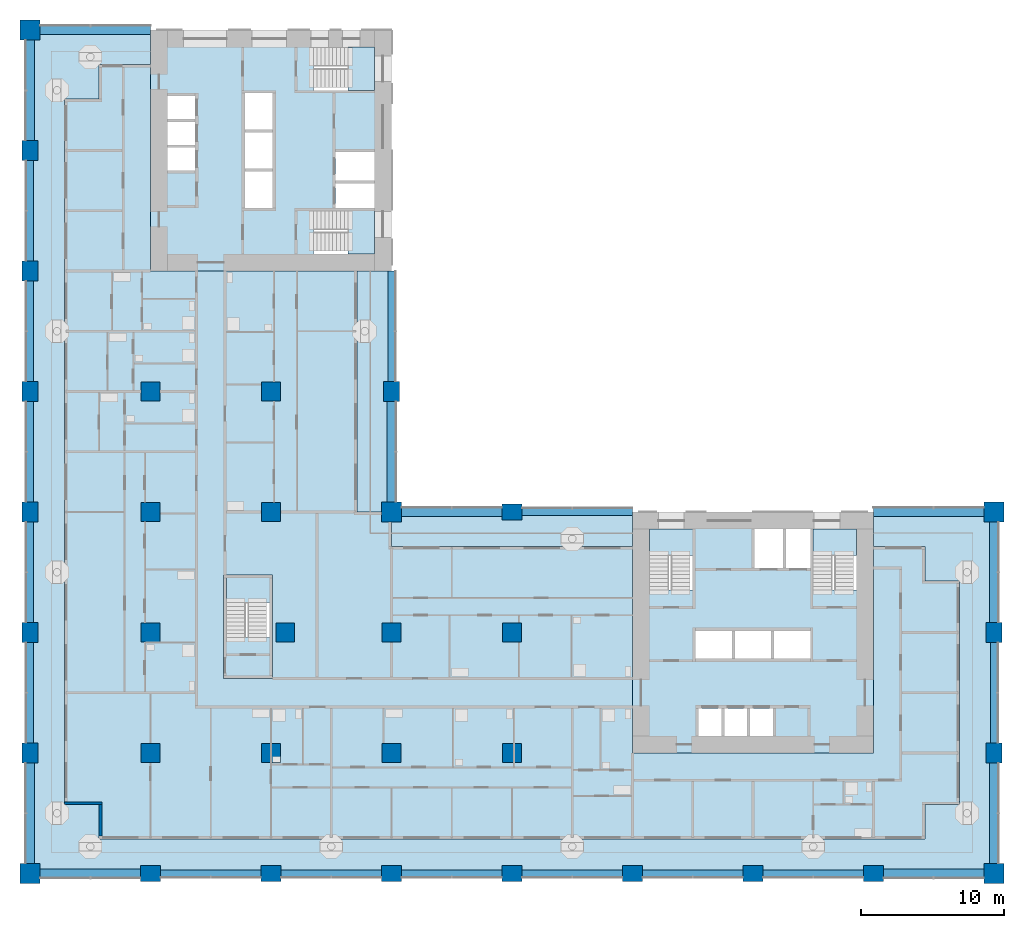
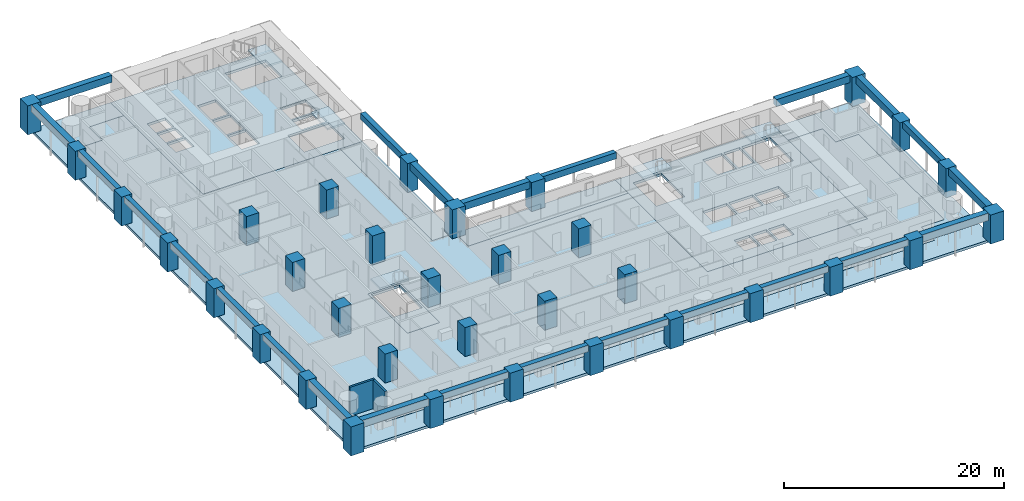
# One storey, part 1 of 19: 34 columns, 24 beams, 12 slabs, 2 walls, 5 elements without a shape of their own.
"""IFC4 building model written with IfcOpenShell, lengths in metres."""

from ifc_helpers import new_model, si_unit, direction, frame, frame_2d, origin, origin_2d, place, context, subcontext, project, spatial, polyline, rectangle, outline, extrude, material, layer, layer_set, material_profile, profile_set, type_object, element, aggregate, save


model = new_model("IFC4")

# Units and contexts
model_context = context("Model", 3, precision=1e-05, world=origin(), true_north=direction((0.0, 1.0)))
body_context = subcontext(model_context, "Body", "Model", "MODEL_VIEW")
ifc_project = project(units=[si_unit("LENGTHUNIT", "METRE"), si_unit("AREAUNIT", "SQUARE_METRE"), si_unit("VOLUMEUNIT", "CUBIC_METRE"), si_unit("PLANEANGLEUNIT", "RADIAN"), si_unit("MASSUNIT", "GRAM", prefix="KILO")], contexts=[model_context])

# Site, building, storey
site_placement = place(None, origin())
site = spatial("IfcSite", under=ifc_project, at=site_placement, CompositionType="ELEMENT")
building_placement = place(site_placement, origin())
building = spatial("IfcBuilding", under=site, at=building_placement, Name="Vermilion Gate Residences", CompositionType="ELEMENT")
storey_placement = place(building_placement, frame((0.0, 0.0, 32.199951171875)))
storey = spatial("IfcBuildingStorey", under=building, at=storey_placement, Name="L06", CompositionType="ELEMENT", Elevation=32.199951171875)

# Columns
ifc_material_1 = material(Name="Concrete C80", Category="concrete")
ifc_material_profile_1 = material_profile(ifc_material_1, rectangle(XDim=1.300048828125, YDim=1.300048828125, at=origin_2d()), Name="RC-1300x1300")
ifc_profile_set_1 = profile_set([ifc_material_profile_1], Name="Concrete C80")
column_type_1 = type_object("IfcColumnType", Name="RC COLUMN 1300 X 1300 C80", PredefinedType="COLUMN", material=ifc_profile_set_1)
for number, where, z_axis, x_axis, name in (
    (1, (8.39990234375, 8.39990234375, 0.0), (0.0, 0.0, 1.0), (1.0, 0.0, 0.0), "Column 2-B L06"),
    (2, (8.39990234375, 16.800048828125, 0.0), (0.0, 0.0, 1.0), (1.0, 0.0, 0.0), "Column 2-C L06"),
    (3, (8.39990234375, 25.199951171875, 0.0), (0.0, 0.0, 1.0), (1.0, 0.0, 0.0), "Column 2-D L06"),
    (4, (8.39990234375, 33.60009765625, 0.0), (0.0, 0.0, 1.0), (1.0, 0.0, 0.0), "Column 2-E L06"),
    (5, (16.800048828125, 8.39990234375, 0.0), (0.0, 0.0, 1.0), (1.0, 0.0, 0.0), "Column 3-B L06"),
    (6, (17.800048828125, 16.800048828125, 0.0), (0.0, 0.0, 1.0), (1.0, 0.0, 0.0), "Column 3-C L06"),
    (7, (16.800048828125, 25.199951171875, 0.0), (0.0, 0.0, 1.0), (1.0, 0.0, 0.0), "Column 3-D L06"),
    (8, (16.800048828125, 33.60009765625, 0.0), (0.0, 0.0, 1.0), (1.0, 0.0, 0.0), "Column 3-E L06"),
    (9, (25.199951171875, 8.39990234375, 0.0), (0.0, 0.0, 1.0), (1.0, 0.0, 0.0), "Column 4-B L06"),
    (10, (25.199951171875, 16.800048828125, 0.0), (0.0, 0.0, 1.0), (1.0, 0.0, 0.0), "Column 4-C L06"),
    (11, (33.60009765625, 8.39990234375, 0.0), (0.0, 0.0, 1.0), (1.0, 0.0, 0.0), "Column 5-B L06"),
    (12, (33.60009765625, 16.800048828125, 0.0), (0.0, 0.0, 1.0), (1.0, 0.0, 0.0), "Column 5-C L06"),
):
    element("IfcColumn", number, at=place(storey_placement, frame(where, z_axis=z_axis, x_axis=x_axis)), inside=storey, type_object=column_type_1, Name=name, PredefinedType="COLUMN", context=body_context, shape_type="SweptSolid", body=[
        extrude(rectangle(XDim=1.300048828125, YDim=1.300048828125, at=origin_2d()), origin(), (0.0, 0.0, 1.0), 3.219970703125),
    ])
ifc_material_2 = material(Name="Concrete C80", Category="concrete")
ifc_material_profile_2 = material_profile(ifc_material_2, rectangle(XDim=1.39990234375, YDim=1.10009765625, at=origin_2d()), Name="RC-1400x1100")
ifc_profile_set_2 = profile_set([ifc_material_profile_2], Name="Concrete C80")
column_type_2 = type_object("IfcColumnType", Name="RC COLUMN 1400 X 1100 C80", PredefinedType="COLUMN", material=ifc_profile_set_2)
for number, where, z_axis, x_axis, name in (
    (13, (0.0, 8.39990234375, 0.0), (0.0, 0.0, 1.0), (0.0, 1.0, 0.0), "Column 1-B L06"),
    (14, (0.0, 16.800048828125, 0.0), (0.0, 0.0, 1.0), (0.0, 1.0, 0.0), "Column 1-C L06"),
    (15, (0.0, 25.199951171875, 0.0), (0.0, 0.0, 1.0), (0.0, 1.0, 0.0), "Column 1-D L06"),
    (16, (0.0, 33.60009765625, 0.0), (0.0, 0.0, 1.0), (0.0, 1.0, 0.0), "Column 1-E L06"),
    (17, (0.0, 42.0, 0.0), (0.0, 0.0, 1.0), (0.0, 1.0, 0.0), "Column 1-F L06"),
    (18, (0.0, 50.39990234375, 0.0), (0.0, 0.0, 1.0), (0.0, 1.0, 0.0), "Column 1-G L06"),
    (19, (8.39990234375, 0.0, 0.0), (0.0, 0.0, 1.0), (1.0, 0.0, 0.0), "Column 2-A L06"),
    (20, (16.800048828125, 0.0, 0.0), (0.0, 0.0, 1.0), (1.0, 0.0, 0.0), "Column 3-A L06"),
    (21, (25.199951171875, 0.0, 0.0), (0.0, 0.0, 1.0), (1.0, 0.0, 0.0), "Column 4-A L06"),
    (22, (25.199951171875, 33.60009765625, 0.0), (0.0, 0.0, 1.0), (0.0, 1.0, 0.0), "Column 4-E L06"),
    (23, (33.60009765625, 0.0, 0.0), (0.0, 0.0, 1.0), (1.0, 0.0, 0.0), "Column 5-A L06"),
    (24, (33.60009765625, 25.199951171875, 0.0), (0.0, 0.0, 1.0), (1.0, 0.0, 0.0), "Column 5-D L06"),
    (25, (42.0, 0.0, 0.0), (0.0, 0.0, 1.0), (1.0, 0.0, 0.0), "Column 6-A L06"),
    (26, (50.39990234375, 0.0, 0.0), (0.0, 0.0, 1.0), (1.0, 0.0, 0.0), "Column 7-A L06"),
    (27, (58.800048828125, 0.0, 0.0), (0.0, 0.0, 1.0), (1.0, 0.0, 0.0), "Column 8-A L06"),
    (28, (67.199951171875, 8.39990234375, 0.0), (0.0, 0.0, 1.0), (0.0, 1.0, 0.0), "Column 9-B L06"),
    (29, (67.199951171875, 16.800048828125, 0.0), (0.0, 0.0, 1.0), (0.0, 1.0, 0.0), "Column 9-C L06"),
):
    element("IfcColumn", number, at=place(storey_placement, frame(where, z_axis=z_axis, x_axis=x_axis)), inside=storey, type_object=column_type_2, Name=name, PredefinedType="COLUMN", context=body_context, shape_type="SweptSolid", body=[
        extrude(rectangle(XDim=1.39990234375, YDim=1.10009765625, at=origin_2d()), origin(), (0.0, 0.0, 1.0), 3.219970703125),
    ])
ifc_material_3 = material(Name="Concrete C80", Category="concrete")
ifc_material_profile_3 = material_profile(ifc_material_3, rectangle(XDim=1.39990234375, YDim=1.39990234375, at=origin_2d()), Name="RC-1400x1400")
ifc_profile_set_3 = profile_set([ifc_material_profile_3], Name="Concrete C80")
column_type_3 = type_object("IfcColumnType", Name="RC COLUMN 1400 X 1400 C80", PredefinedType="COLUMN", material=ifc_profile_set_3)
for number, where, z_axis, x_axis, name in (
    (30, (0.0, 0.0, 0.0), (0.0, 0.0, 1.0), (1.0, 0.0, 0.0), "Column 1-A L06"),
    (31, (0.0, 58.800048828125, 0.0), (0.0, 0.0, 1.0), (1.0, 0.0, 0.0), "Column 1-H L06"),
    (32, (25.199951171875, 25.199951171875, 0.0), (0.0, 0.0, 1.0), (1.0, 0.0, 0.0), "Column 4-D L06"),
    (33, (67.199951171875, 0.0, 0.0), (0.0, 0.0, 1.0), (1.0, 0.0, 0.0), "Column 9-A L06"),
    (34, (67.199951171875, 25.199951171875, 0.0), (0.0, 0.0, 1.0), (1.0, 0.0, 0.0), "Column 9-D L06"),
):
    element("IfcColumn", number, at=place(storey_placement, frame(where, z_axis=z_axis, x_axis=x_axis)), inside=storey, type_object=column_type_3, Name=name, PredefinedType="COLUMN", context=body_context, shape_type="SweptSolid", body=[
        extrude(rectangle(XDim=1.39990234375, YDim=1.39990234375, at=origin_2d()), origin(), (0.0, 0.0, 1.0), 3.219970703125),
    ])

# Beams
ifc_material_4 = material(Name="Concrete C60 red-oxide pigmented", Category="concrete")
ifc_material_profile_4 = material_profile(ifc_material_4, rectangle(XDim=0.60009765625, YDim=0.800048828125, at=origin_2d()), Name="RC-600x800")
ifc_profile_set_4 = profile_set([ifc_material_profile_4], Name="Concrete C60 red-oxide pigmented")
beam_type_1 = type_object("IfcBeamType", Name="RC CORNER EDGE BEAM 600 X 800 C60", PredefinedType="BEAM", material=ifc_profile_set_4)
for number, where, z_axis, x_axis, name in (
    (35, (0.699951171875, 0.0, 2.820068359375), (1.0, 0.0, 0.0), (0.0, 1.0, 0.0), "Corner edge beam L06 1"),
    (36, (0.0, 0.699951171875, 2.820068359375), (0.0, 1.0, 0.0), (-1.0, 0.0, 0.0), "Corner edge beam L06 2"),
):
    element("IfcBeam", number, at=place(storey_placement, frame(where, z_axis=z_axis, x_axis=x_axis)), inside=storey, type_object=beam_type_1, Name=name, PredefinedType="BEAM", context=body_context, shape_type="SweptSolid", body=[
        extrude(rectangle(XDim=0.60009765625, YDim=0.800048828125, at=origin_2d()), origin(), (0.0, 0.0, 1.0), 7.0),
    ])
beam_1_placement = place(storey_placement, frame((0.699951171875, 58.800048828125, 2.820068359375), z_axis=(1.0, 0.0, 0.0), x_axis=(0.0, 1.0, 0.0)))
element("IfcBeam", 37, at=beam_1_placement, inside=storey, type_object=beam_type_1, Name="Corner edge beam L06 8", PredefinedType="BEAM", context=body_context, shape_type="SweptSolid", body=[
    extrude(rectangle(XDim=0.60009765625, YDim=0.800048828125, at=origin_2d()), origin(), (0.0, 0.0, 1.0), 7.699951171875),
])
for number, where, z_axis, x_axis, name in (
    (38, (0.0, 51.10009765625, 2.820068359375), (0.0, 1.0, 0.0), (-1.0, 0.0, 0.0), "Corner edge beam L06 9"),
    (39, (25.199951171875, 25.89990234375, 2.820068359375), (0.0, 1.0, 0.0), (-1.0, 0.0, 0.0), "Corner edge beam L06 12"),
    (40, (25.89990234375, 25.199951171875, 2.820068359375), (1.0, 0.0, 0.0), (0.0, 1.0, 0.0), "Corner edge beam L06 15"),
    (41, (59.5, 0.0, 2.820068359375), (1.0, 0.0, 0.0), (0.0, 1.0, 0.0), "Corner edge beam L06 20"),
    (42, (67.199951171875, 0.699951171875, 2.820068359375), (0.0, 1.0, 0.0), (-1.0, 0.0, 0.0), "Corner edge beam L06 21"),
    (43, (67.199951171875, 17.5, 2.820068359375), (0.0, 1.0, 0.0), (-1.0, 0.0, 0.0), "Corner edge beam L06 23"),
):
    element("IfcBeam", number, at=place(storey_placement, frame(where, z_axis=z_axis, x_axis=x_axis)), inside=storey, type_object=beam_type_1, Name=name, PredefinedType="BEAM", context=body_context, shape_type="SweptSolid", body=[
        extrude(rectangle(XDim=0.60009765625, YDim=0.800048828125, at=origin_2d()), origin(), (0.0, 0.0, 1.0), 7.0),
    ])
beam_2_placement = place(storey_placement, frame((58.800048828125, 25.199951171875, 2.820068359375), z_axis=(1.0, 0.0, 0.0), x_axis=(0.0, 1.0, 0.0)))
element("IfcBeam", 44, at=beam_2_placement, inside=storey, type_object=beam_type_1, Name="Corner edge beam L06 24", PredefinedType="BEAM", context=body_context, shape_type="SweptSolid", body=[
    extrude(rectangle(XDim=0.60009765625, YDim=0.800048828125, at=origin_2d()), origin(), (0.0, 0.0, 1.0), 7.699951171875),
])
ifc_material_5 = material(Name="Concrete C60 red-oxide pigmented", Category="concrete")
ifc_material_profile_5 = material_profile(ifc_material_5, rectangle(XDim=0.5, YDim=0.699951171875, at=origin_2d()), Name="RC-500x700")
ifc_profile_set_5 = profile_set([ifc_material_profile_5], Name="Concrete C60 red-oxide pigmented")
beam_type_2 = type_object("IfcBeamType", Name="RC EDGE BEAM 500 X 700 C60", PredefinedType="BEAM", material=ifc_profile_set_5)
for number, where, z_axis, x_axis, name in (
    (45, (0.0, 9.10009765625, 2.8701171875), (0.0, 1.0, 0.0), (-1.0, 0.0, 0.0), "Edge beam L06 3"),
    (46, (0.0, 17.5, 2.8701171875), (0.0, 1.0, 0.0), (-1.0, 0.0, 0.0), "Edge beam L06 4"),
    (47, (0.0, 25.89990234375, 2.8701171875), (0.0, 1.0, 0.0), (-1.0, 0.0, 0.0), "Edge beam L06 5"),
    (48, (0.0, 34.300048828125, 2.8701171875), (0.0, 1.0, 0.0), (-1.0, 0.0, 0.0), "Edge beam L06 6"),
    (49, (0.0, 42.699951171875, 2.8701171875), (0.0, 1.0, 0.0), (-1.0, 0.0, 0.0), "Edge beam L06 7"),
    (50, (9.10009765625, 0.0, 2.8701171875), (1.0, 0.0, 0.0), (0.0, 1.0, 0.0), "Edge beam L06 10"),
    (51, (17.5, 0.0, 2.8701171875), (1.0, 0.0, 0.0), (0.0, 1.0, 0.0), "Edge beam L06 11"),
):
    element("IfcBeam", number, at=place(storey_placement, frame(where, z_axis=z_axis, x_axis=x_axis)), inside=storey, type_object=beam_type_2, Name=name, PredefinedType="BEAM", context=body_context, shape_type="SweptSolid", body=[
        extrude(rectangle(XDim=0.5, YDim=0.699951171875, at=origin_2d()), origin(), (0.0, 0.0, 1.0), 7.0),
    ])
beam_3_placement = place(storey_placement, frame((25.199951171875, 34.300048828125, 2.8701171875), z_axis=(0.0, 1.0, 0.0), x_axis=(-1.0, 0.0, 0.0)))
element("IfcBeam", 52, at=beam_3_placement, inside=storey, type_object=beam_type_2, Name="Edge beam L06 13", PredefinedType="BEAM", context=body_context, shape_type="SweptSolid", body=[
    extrude(rectangle(XDim=0.5, YDim=0.699951171875, at=origin_2d()), origin(), (0.0, 0.0, 1.0), 7.699951171875),
])
for number, where, z_axis, x_axis, name in (
    (53, (25.89990234375, 0.0, 2.8701171875), (1.0, 0.0, 0.0), (0.0, 1.0, 0.0), "Edge beam L06 14"),
    (54, (34.300048828125, 0.0, 2.8701171875), (1.0, 0.0, 0.0), (0.0, 1.0, 0.0), "Edge beam L06 16"),
):
    element("IfcBeam", number, at=place(storey_placement, frame(where, z_axis=z_axis, x_axis=x_axis)), inside=storey, type_object=beam_type_2, Name=name, PredefinedType="BEAM", context=body_context, shape_type="SweptSolid", body=[
        extrude(rectangle(XDim=0.5, YDim=0.699951171875, at=origin_2d()), origin(), (0.0, 0.0, 1.0), 7.0),
    ])
beam_4_placement = place(storey_placement, frame((34.300048828125, 25.199951171875, 2.8701171875), z_axis=(1.0, 0.0, 0.0), x_axis=(0.0, 1.0, 0.0)))
element("IfcBeam", 55, at=beam_4_placement, inside=storey, type_object=beam_type_2, Name="Edge beam L06 17", PredefinedType="BEAM", context=body_context, shape_type="SweptSolid", body=[
    extrude(rectangle(XDim=0.5, YDim=0.699951171875, at=origin_2d()), origin(), (0.0, 0.0, 1.0), 7.699951171875),
])
for number, where, z_axis, x_axis, name in (
    (56, (42.699951171875, 0.0, 2.8701171875), (1.0, 0.0, 0.0), (0.0, 1.0, 0.0), "Edge beam L06 18"),
    (57, (51.10009765625, 0.0, 2.8701171875), (1.0, 0.0, 0.0), (0.0, 1.0, 0.0), "Edge beam L06 19"),
    (58, (67.199951171875, 9.10009765625, 2.8701171875), (0.0, 1.0, 0.0), (-1.0, 0.0, 0.0), "Edge beam L06 22"),
):
    element("IfcBeam", number, at=place(storey_placement, frame(where, z_axis=z_axis, x_axis=x_axis)), inside=storey, type_object=beam_type_2, Name=name, PredefinedType="BEAM", context=body_context, shape_type="SweptSolid", body=[
        extrude(rectangle(XDim=0.5, YDim=0.699951171875, at=origin_2d()), origin(), (0.0, 0.0, 1.0), 7.0),
    ])

# Slabs
ifc_material_6 = material(Name="Concrete C50", Category="concrete")
ifc_layer_1 = layer(ifc_material_6, 0.280029296875)
ifc_layer_set_1 = layer_set([ifc_layer_1], Name="RC CORE FLOOR SLAB 280 C50")
slab_type_1 = type_object("IfcSlabType", Name="RC CORE FLOOR SLAB 280 C50", PredefinedType="FLOOR", material=ifc_layer_set_1)
slab_1_placement = place(storey_placement, frame((0.0, 0.0, -0.280029296875)))
element("IfcSlab", 59, at=slab_1_placement, inside=storey, type_object=slab_type_1, Name="Core floor slab A06", PredefinedType="FLOOR", context=body_context, shape_type="SweptSolid", body=[
    extrude(outline(polyline([(42.0, 8.39990234375), (58.800048828125, 8.39990234375), (58.800048828125, 25.199951171875), (42.0, 25.199951171875), (42.0, 8.39990234375)]), holes=[polyline([(46.60009765625, 11.5), (48.199951171875, 11.5), (48.199951171875, 9.60009765625), (46.60009765625, 9.60009765625), (46.60009765625, 11.5)]), polyline([(48.39990234375, 11.5), (50.0, 11.5), (50.0, 9.60009765625), (48.39990234375, 9.60009765625), (48.39990234375, 11.5)]), polyline([(50.199951171875, 11.5), (51.800048828125, 11.5), (51.800048828125, 9.60009765625), (50.199951171875, 9.60009765625), (50.199951171875, 11.5)]), polyline([(48.933349609375, 16.89990234375), (48.933349609375, 15.0), (46.39990234375, 15.0), (46.39990234375, 16.89990234375), (48.933349609375, 16.89990234375)]), polyline([(51.666748046875, 16.89990234375), (51.666748046875, 15.0), (49.13330078125, 15.0), (49.13330078125, 16.89990234375), (51.666748046875, 16.89990234375)]), polyline([(51.86669921875, 16.89990234375), (54.39990234375, 16.89990234375), (54.39990234375, 15.0), (51.86669921875, 15.0), (51.86669921875, 16.89990234375)]), polyline([(43.199951171875, 24.0), (46.199951171875, 24.0), (46.199951171875, 19.75), (43.199951171875, 19.75), (43.199951171875, 24.0)]), polyline([(54.60009765625, 24.0), (57.60009765625, 24.0), (57.60009765625, 19.75), (54.60009765625, 19.75), (54.60009765625, 24.0)]), polyline([(52.5, 24.0), (52.5, 21.300048828125), (50.5, 21.300048828125), (50.5, 24.0), (52.5, 24.0)]), polyline([(54.39990234375, 24.0), (54.39990234375, 21.300048828125), (52.699951171875, 21.300048828125), (52.699951171875, 24.0), (54.39990234375, 24.0)])]), origin(), (0.0, 0.0, 1.0), 0.280029296875),
])
slab_2_placement = place(storey_placement, frame((0.0, 0.0, -0.280029296875)))
element("IfcSlab", 60, at=slab_2_placement, inside=storey, type_object=slab_type_1, Name="Core floor slab B06", PredefinedType="FLOOR", context=body_context, shape_type="SweptSolid", body=[
    extrude(outline(polyline([(8.39990234375, 42.0), (25.199951171875, 42.0), (25.199951171875, 58.800048828125), (8.39990234375, 58.800048828125), (8.39990234375, 42.0)]), holes=[polyline([(19.75, 46.199951171875), (24.0, 46.199951171875), (24.0, 43.199951171875), (19.75, 43.199951171875), (19.75, 46.199951171875)]), polyline([(21.300048828125, 48.10009765625), (24.0, 48.10009765625), (24.0, 46.39990234375), (21.300048828125, 46.39990234375), (21.300048828125, 48.10009765625)]), polyline([(15.0, 48.933349609375), (16.89990234375, 48.933349609375), (16.89990234375, 46.39990234375), (15.0, 46.39990234375), (15.0, 48.933349609375)]), polyline([(24.0, 50.300048828125), (24.0, 48.300048828125), (21.300048828125, 48.300048828125), (21.300048828125, 50.300048828125), (24.0, 50.300048828125)]), polyline([(11.5, 50.60009765625), (11.5, 49.0), (9.60009765625, 49.0), (9.60009765625, 50.60009765625), (11.5, 50.60009765625)]), polyline([(15.0, 51.666748046875), (16.89990234375, 51.666748046875), (16.89990234375, 49.13330078125), (15.0, 49.13330078125), (15.0, 51.666748046875)]), polyline([(9.60009765625, 52.39990234375), (11.5, 52.39990234375), (11.5, 50.800048828125), (9.60009765625, 50.800048828125), (9.60009765625, 52.39990234375)]), polyline([(15.0, 54.39990234375), (16.89990234375, 54.39990234375), (16.89990234375, 51.86669921875), (15.0, 51.86669921875), (15.0, 54.39990234375)]), polyline([(11.5, 54.199951171875), (11.5, 52.60009765625), (9.60009765625, 52.60009765625), (9.60009765625, 54.199951171875), (11.5, 54.199951171875)]), polyline([(24.0, 57.60009765625), (24.0, 54.60009765625), (19.75, 54.60009765625), (19.75, 57.60009765625), (24.0, 57.60009765625)])]), origin(), (0.0, 0.0, 1.0), 0.280029296875),
])
slab_3_placement = place(storey_placement, frame((0.0, 0.0, -0.280029296875)))
element("IfcSlab", 61, at=slab_3_placement, inside=storey, type_object=slab_type_1, Name="Apex stair floor slab 06", PredefinedType="FLOOR", context=body_context, shape_type="SweptSolid", body=[
    extrude(outline(polyline([(13.5, 13.60009765625), (16.89990234375, 13.60009765625), (16.89990234375, 20.800048828125), (13.5, 20.800048828125), (13.5, 13.60009765625)]), holes=[polyline([(16.699951171875, 20.60009765625), (16.699951171875, 16.449951171875), (13.699951171875, 16.449951171875), (13.699951171875, 20.60009765625), (16.699951171875, 20.60009765625)])]), origin(), (0.0, 0.0, 1.0), 0.280029296875),
])
ifc_material_7 = material(Name="Concrete C50", Category="concrete")
ifc_layer_2 = layer(ifc_material_7, 0.280029296875)
ifc_layer_set_2 = layer_set([ifc_layer_2], Name="RC FLAT PLATE 280 C50")
slab_type_2 = type_object("IfcSlabType", Name="RC FLAT PLATE 280 C50", PredefinedType="FLOOR", material=ifc_layer_set_2)
slab_4_placement = place(storey_placement, frame((0.0, 0.0, -0.280029296875)))
element("IfcSlab", 62, at=slab_4_placement, inside=storey, type_object=slab_type_2, Name="Floor slab L06", PredefinedType="FLOOR", context=body_context, shape_type="SweptSolid", body=[
    extrude(outline(polyline([(22.800048828125, 25.199951171875), (22.800048828125, 42.0), (8.39990234375, 42.0), (8.39990234375, 56.39990234375), (4.800048828125, 56.39990234375), (4.800048828125, 54.0), (2.39990234375, 54.0), (2.39990234375, 4.800048828125), (4.800048828125, 4.800048828125), (4.800048828125, 2.39990234375), (62.39990234375, 2.39990234375), (62.39990234375, 4.800048828125), (64.800048828125, 4.800048828125), (64.800048828125, 20.39990234375), (62.39990234375, 20.39990234375), (62.39990234375, 22.800048828125), (58.800048828125, 22.800048828125), (58.800048828125, 8.39990234375), (42.0, 8.39990234375), (42.0, 22.800048828125), (25.199951171875, 22.800048828125), (25.199951171875, 25.199951171875), (22.800048828125, 25.199951171875)]), holes=[polyline([(13.5, 13.60009765625), (13.5, 20.800048828125), (16.89990234375, 20.800048828125), (16.89990234375, 13.60009765625), (13.5, 13.60009765625)])]), origin(), (0.0, 0.0, 1.0), 0.280029296875),
])
ifc_material_8 = material(Name="Concrete C50 red-oxide pigmented", Category="concrete")
ifc_layer_3 = layer(ifc_material_8, 0.280029296875)
ifc_layer_set_3 = layer_set([ifc_layer_3], Name="RC LOGGIA SLAB 280 C50")
slab_type_3 = type_object("IfcSlabType", Name="RC LOGGIA SLAB 280 C50", PredefinedType="FLOOR", material=ifc_layer_set_3)
slab_5_placement = place(storey_placement, frame((0.0, 0.0, -0.280029296875)))
element("IfcSlab", 63, at=slab_5_placement, inside=storey, type_object=slab_type_3, Name="Loggia slab L06", PredefinedType="FLOOR", context=body_context, shape_type="SweptSolid", body=[
    extrude(outline(polyline([(0.0, 58.800048828125), (0.0, 0.0), (67.199951171875, 0.0), (67.199951171875, 25.199951171875), (58.800048828125, 25.199951171875), (58.800048828125, 22.800048828125), (62.39990234375, 22.800048828125), (62.39990234375, 20.39990234375), (64.800048828125, 20.39990234375), (64.800048828125, 4.800048828125), (62.39990234375, 4.800048828125), (62.39990234375, 2.39990234375), (4.800048828125, 2.39990234375), (4.800048828125, 4.800048828125), (2.39990234375, 4.800048828125), (2.39990234375, 54.0), (4.800048828125, 54.0), (4.800048828125, 56.39990234375), (8.39990234375, 56.39990234375), (8.39990234375, 58.800048828125), (0.0, 58.800048828125)])), origin(), (0.0, 0.0, 1.0), 0.280029296875),
])
slab_6_placement = place(storey_placement, frame((0.0, 0.0, -0.280029296875)))
element("IfcSlab", 64, at=slab_6_placement, inside=storey, type_object=slab_type_3, Name="Loggia slab L06", PredefinedType="FLOOR", context=body_context, shape_type="SweptSolid", body=[
    extrude(outline(polyline([(25.199951171875, 22.800048828125), (42.0, 22.800048828125), (42.0, 25.199951171875), (25.199951171875, 25.199951171875), (25.199951171875, 22.800048828125)])), origin(), (0.0, 0.0, 1.0), 0.280029296875),
])
slab_7_placement = place(storey_placement, frame((0.0, 0.0, -0.280029296875)))
element("IfcSlab", 65, at=slab_7_placement, inside=storey, type_object=slab_type_3, Name="Loggia slab L06", PredefinedType="FLOOR", context=body_context, shape_type="SweptSolid", body=[
    extrude(outline(polyline([(22.800048828125, 42.0), (22.800048828125, 25.199951171875), (25.199951171875, 25.199951171875), (25.199951171875, 42.0), (22.800048828125, 42.0)])), origin(), (0.0, 0.0, 1.0), 0.280029296875),
])

# Stair, slab
ifc_material_9 = material(Name="Concrete C50", Category="concrete")
stair_type = type_object("IfcStairType", Name="SPECIAL ESCAPE STAIR 1300", PredefinedType="HALF_TURN_STAIR", material=ifc_material_9)
stair_1_placement = place(storey_placement, origin())
stair_1 = element("IfcStair", 66, at=stair_1_placement, inside=storey, type_object=stair_type, Name="Special escape stair STA1-06", PredefinedType="HALF_TURN_STAIR")
ifc_material_10 = material(Name="Concrete C50", Category="concrete")
ifc_layer_4 = layer(ifc_material_10, 0.199951171875)
ifc_layer_set_4 = layer_set([ifc_layer_4], Name="STAIR LANDING 200 C50")
slab_type_4 = type_object("IfcSlabType", Name="STAIR LANDING 200 C50", PredefinedType="LANDING", material=ifc_layer_set_4)
slab_8_placement = place(storey_placement, frame((0.0, 0.0, 1.550048828125)))
slab_8 = element("IfcSlab", 67, at=slab_8_placement, type_object=slab_type_4, Name="STA1-06 landing 1", PredefinedType="LANDING", context=body_context, shape_type="SweptSolid", body=[
    extrude(outline(polyline([(46.219970703125, 22.179931640625), (46.219970703125, 24.02001953125), (43.179931640625, 24.02001953125), (43.179931640625, 22.179931640625), (46.219970703125, 22.179931640625)])), origin(), (0.0, 0.0, 1.0), 0.199951171875),
])
aggregate(stair_1, [slab_8])

stair_2_placement = place(storey_placement, origin())
stair_2 = element("IfcStair", 68, at=stair_2_placement, inside=storey, type_object=stair_type, Name="Special escape stair STA2-06", PredefinedType="HALF_TURN_STAIR")
slab_9_placement = place(storey_placement, frame((0.0, 0.0, 1.550048828125)))
slab_9 = element("IfcSlab", 69, at=slab_9_placement, type_object=slab_type_4, Name="STA2-06 landing 1", PredefinedType="LANDING", context=body_context, shape_type="SweptSolid", body=[
    extrude(outline(polyline([(57.6201171875, 22.179931640625), (57.6201171875, 24.02001953125), (54.580078125, 24.02001953125), (54.580078125, 22.179931640625), (57.6201171875, 22.179931640625)])), origin(), (0.0, 0.0, 1.0), 0.199951171875),
])
aggregate(stair_2, [slab_9])

stair_3_placement = place(storey_placement, origin())
stair_3 = element("IfcStair", 70, at=stair_3_placement, inside=storey, type_object=stair_type, Name="Special escape stair STB1-06", PredefinedType="HALF_TURN_STAIR")
slab_10_placement = place(storey_placement, frame((0.0, 0.0, 1.550048828125)))
slab_10 = element("IfcSlab", 71, at=slab_10_placement, type_object=slab_type_4, Name="STB1-06 landing 1", PredefinedType="LANDING", context=body_context, shape_type="SweptSolid", body=[
    extrude(outline(polyline([(24.02001953125, 54.580078125), (24.02001953125, 57.6201171875), (22.179931640625, 57.6201171875), (22.179931640625, 54.580078125), (24.02001953125, 54.580078125)])), origin(), (0.0, 0.0, 1.0), 0.199951171875),
])
aggregate(stair_3, [slab_10])

stair_4_placement = place(storey_placement, origin())
stair_4 = element("IfcStair", 72, at=stair_4_placement, inside=storey, type_object=stair_type, Name="Special escape stair STB2-06", PredefinedType="HALF_TURN_STAIR")
slab_11_placement = place(storey_placement, frame((0.0, 0.0, 1.550048828125)))
slab_11 = element("IfcSlab", 73, at=slab_11_placement, type_object=slab_type_4, Name="STB2-06 landing 1", PredefinedType="LANDING", context=body_context, shape_type="SweptSolid", body=[
    extrude(outline(polyline([(24.02001953125, 43.179931640625), (24.02001953125, 46.219970703125), (22.179931640625, 46.219970703125), (22.179931640625, 43.179931640625), (24.02001953125, 43.179931640625)])), origin(), (0.0, 0.0, 1.0), 0.199951171875),
])
aggregate(stair_4, [slab_11])

stair_5_placement = place(storey_placement, origin())
stair_5 = element("IfcStair", 74, at=stair_5_placement, inside=storey, type_object=stair_type, Name="Special escape stair STC1-06", PredefinedType="HALF_TURN_STAIR")
slab_12_placement = place(storey_placement, frame((0.0, 0.0, 1.550048828125)))
slab_12 = element("IfcSlab", 75, at=slab_12_placement, type_object=slab_type_4, Name="STC1-06 landing 1", PredefinedType="LANDING", context=body_context, shape_type="SweptSolid", body=[
    extrude(outline(polyline([(16.719970703125, 18.8798828125), (16.719970703125, 20.6201171875), (13.679931640625, 20.6201171875), (13.679931640625, 18.8798828125), (16.719970703125, 18.8798828125)])), origin(), (0.0, 0.0, 1.0), 0.199951171875),
])
aggregate(stair_5, [slab_12])

# Walls
ifc_material_11 = material(Name="Insulated steel stud wall with terracotta rainscreen", Category="masonry")
ifc_layer_5 = layer(ifc_material_11, 0.199951171875)
ifc_layer_set_5 = layer_set([ifc_layer_5], Name="EXTERNAL WALL 200 TERRACOTTA RAINSCREEN")
wall_type = type_object("IfcWallType", Name="EXTERNAL WALL 200 TERRACOTTA RAINSCREEN", PredefinedType="SOLIDWALL", material=ifc_layer_set_5)
wall_1_placement = place(storey_placement, frame((2.39990234375, 4.89990234375, 0.0), z_axis=(0.0, 0.0, 1.0), x_axis=(1.0, 0.0, 0.0)))
element("IfcWall", 76, at=wall_1_placement, inside=storey, type_object=wall_type, Name="External wall", PredefinedType="SOLIDWALL", context=body_context, shape_type="SweptSolid", body=[
    extrude(rectangle(XDim=2.60009765625, YDim=0.199951171875, at=frame_2d((1.300048828125, 0.0))), origin(), (0.0, 0.0, 1.0), 3.219970703125),
])
wall_2_placement = place(storey_placement, frame((4.89990234375, 4.800048828125, 0.0), z_axis=(0.0, 0.0, 1.0), x_axis=(0.0, -1.0, 0.0)))
element("IfcWall", 77, at=wall_2_placement, inside=storey, type_object=wall_type, Name="External wall", PredefinedType="SOLIDWALL", context=body_context, shape_type="SweptSolid", body=[
    extrude(rectangle(XDim=2.199951171875, YDim=0.199951171875, at=frame_2d((1.10009765625, 0.0))), origin(), (0.0, 0.0, 1.0), 3.219970703125),
])

save(model, "model.ifc")
